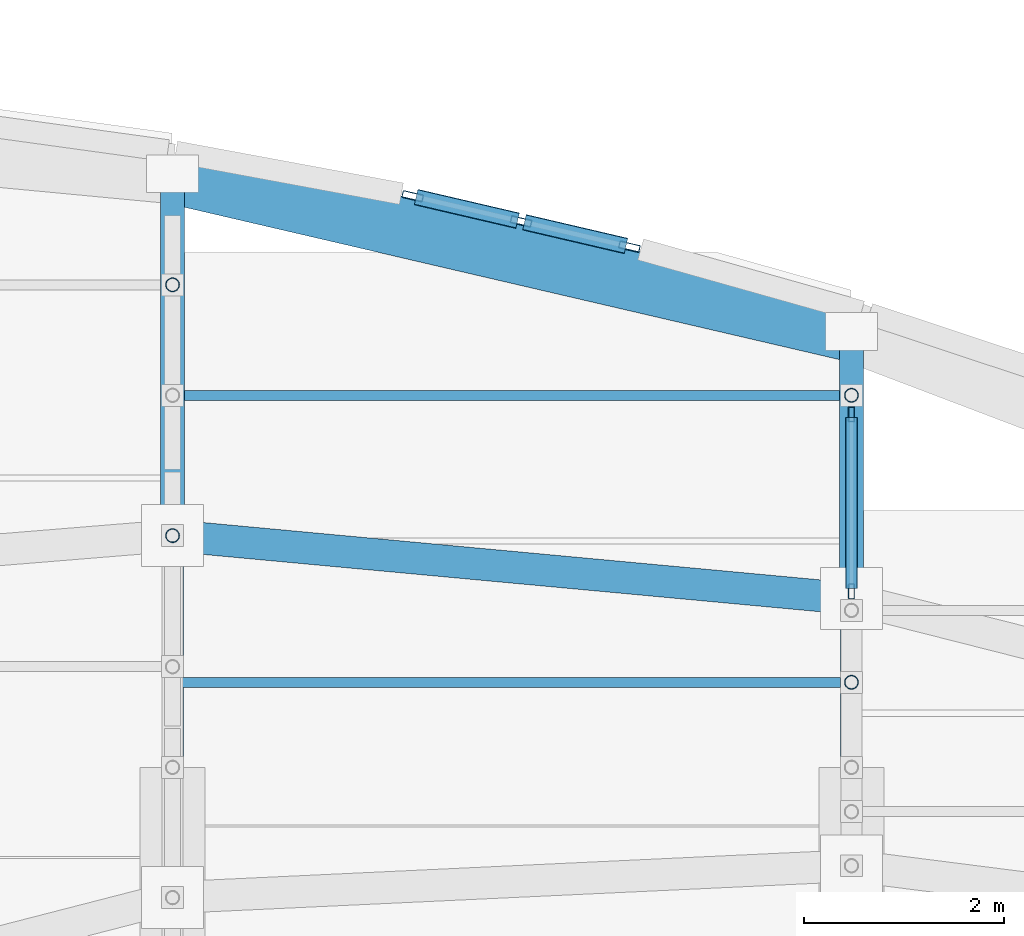
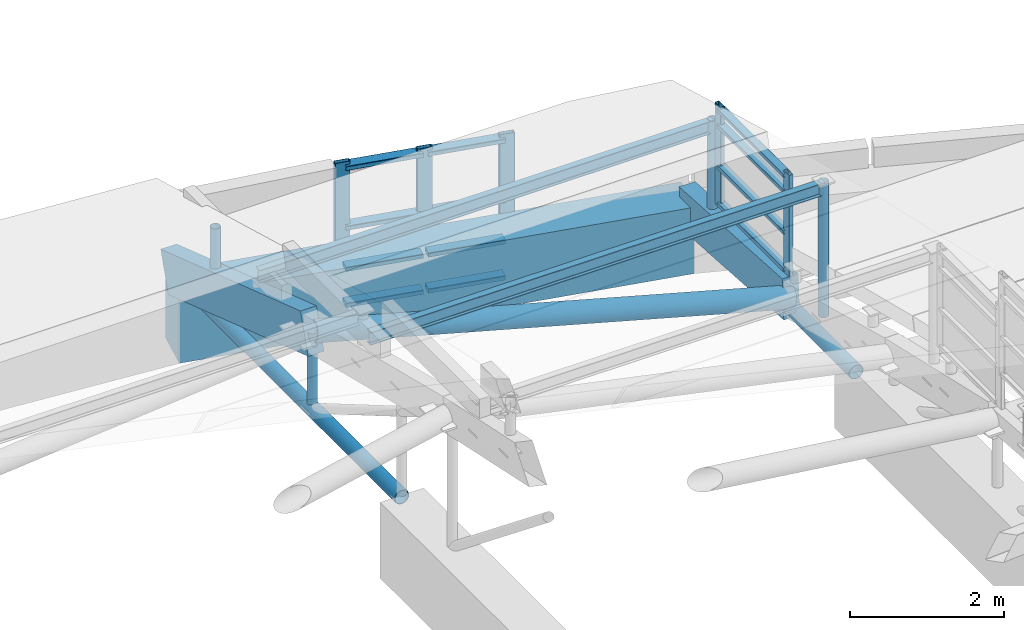
# One storey, part 108 of 188: 28 members, 1 beam, 2 elements without a shape of their own.
"""IFC4 building model written with IfcOpenShell, lengths in metres."""

from ifc_helpers import new_model, si_unit, direction, frame, origin, origin_2d, place, context, subcontext, project, spatial, rectangle, hollow_rectangle, hollow_circle, i_section, extrude, material, layer, layer_set, material_profile, profile_set, type_object, element, aggregate, save


model = new_model("IFC4")

# Units and contexts
model_context = context("Model", 3, precision=1e-05, world=origin(), true_north=direction((0.0, 1.0)))
body_context = subcontext(model_context, "Body", "Model", "MODEL_VIEW")
ifc_project = project(units=[si_unit("LENGTHUNIT", "METRE"), si_unit("AREAUNIT", "SQUARE_METRE"), si_unit("VOLUMEUNIT", "CUBIC_METRE"), si_unit("PLANEANGLEUNIT", "RADIAN"), si_unit("MASSUNIT", "GRAM", prefix="KILO")], contexts=[model_context])

# Site, building, storey
site_placement = place(None, origin())
site = spatial("IfcSite", under=ifc_project, at=site_placement, CompositionType="ELEMENT")
building_placement = place(site_placement, origin())
building = spatial("IfcBuilding", under=site, at=building_placement, Name="Kisaragi Civic Commons", CompositionType="ELEMENT")
storey_placement = place(building_placement, frame((0.0, 0.0, 9.60009765625)))
storey = spatial("IfcBuildingStorey", under=building, at=storey_placement, Name="L02", CompositionType="ELEMENT", Elevation=9.60009765625)

# Curtain wall, members
ifc_material_1 = material(Name="Thermally broken anodized aluminium and low-E double glazing", Category="aluminium")
ifc_layer_1 = layer(ifc_material_1, 0.14990234375, Name="Thermally broken anodized aluminium and low-E double glazing", Category="aluminium")
ifc_layer_set_1 = layer_set([ifc_layer_1], Name="Thermally broken anodized aluminium and low-E double glazing")
curtain_wall_type_1 = type_object("IfcCurtainWallType", Name="CW-03", PredefinedType="NOTDEFINED", material=ifc_layer_set_1)
curtain_wall_1_placement = place(storey_placement, origin())
curtain_wall_1 = element("IfcCurtainWall", 1, at=curtain_wall_1_placement, inside=storey, type_object=curtain_wall_type_1, Name="L02 curtain wall CW-03 CW-CL-V2-219", PredefinedType="NOTDEFINED")
ifc_material_profile_1 = material_profile(ifc_material_1, hollow_rectangle(XDim=0.06005859375, YDim=0.14990234375, WallThickness=0.00390625, InnerFilletRadius=0.00390625, OuterFilletRadius=0.008056640625, at=origin_2d()), Name="CWM-60x150x4", Category="aluminium")
ifc_profile_set_1 = profile_set([ifc_material_profile_1], Name="Thermally broken anodized aluminium and low-E double glazing")
member_type_1 = type_object("IfcMemberType", Name="CWM-01", PredefinedType="MULLION", material=ifc_profile_set_1)
member_1_placement = place(storey_placement, frame((40.800048828125, 113.362060546875, 0.0048828125), z_axis=(0.0, 0.0, 1.0), x_axis=(-1.0, 0.0, 0.0)))
member_1 = element("IfcMember", 2, at=member_1_placement, type_object=member_type_1, Name="CW-03 mullion 1", PredefinedType="MULLION", context=body_context, shape_type="SweptSolid", body=[
    extrude(hollow_rectangle(XDim=0.06005859375, YDim=0.14990234375, WallThickness=0.00390625, InnerFilletRadius=0.00390625, OuterFilletRadius=0.008056640625, at=origin_2d()), origin(), (0.0, 0.0, 1.0), 1.60693359375),
])
member_2_placement = place(storey_placement, frame((40.800048828125, 115.13671875, 0.0048828125), z_axis=(0.0, 0.0, 1.0), x_axis=(-1.0, 0.0, 0.0)))
member_2 = element("IfcMember", 3, at=member_2_placement, type_object=member_type_1, Name="CW-03 mullion 2", PredefinedType="MULLION", context=body_context, shape_type="SweptSolid", body=[
    extrude(hollow_rectangle(XDim=0.06005859375, YDim=0.14990234375, WallThickness=0.00390625, InnerFilletRadius=0.00390625, OuterFilletRadius=0.008056640625, at=origin_2d()), origin(), (0.0, 0.0, 1.0), 1.60693359375),
])

ifc_layer_2 = layer(ifc_material_1, 0.2099609375, Name="Thermally broken anodized aluminium and low-E double glazing", Category="aluminium")
ifc_layer_set_2 = layer_set([ifc_layer_2], Name="Thermally broken anodized aluminium and low-E double glazing")
curtain_wall_type_2 = type_object("IfcCurtainWallType", Name="CW-02", PredefinedType="NOTDEFINED", material=ifc_layer_set_2)
curtain_wall_2_placement = place(storey_placement, origin())
curtain_wall_2 = element("IfcCurtainWall", 4, at=curtain_wall_2_placement, inside=storey, type_object=curtain_wall_type_2, Name="L02 curtain wall CW-02 CW-GAB-V2-225", PredefinedType="NOTDEFINED")
ifc_material_profile_2 = material_profile(ifc_material_1, hollow_rectangle(XDim=0.070068359375, YDim=0.2099609375, WallThickness=0.0048828125, InnerFilletRadius=0.0048828125, OuterFilletRadius=0.010009765625, at=origin_2d()), Name="CWM-70x210x5", Category="aluminium")
ifc_profile_set_2 = profile_set([ifc_material_profile_2], Name="Thermally broken anodized aluminium and low-E double glazing")
member_type_2 = type_object("IfcMemberType", Name="CWM-03", PredefinedType="MULLION", material=ifc_profile_set_2)
member_3_placement = place(storey_placement, frame((36.4052734375, 117.321044921875, -1.399169921875), z_axis=(0.0, 0.0, 1.0), x_axis=(0.226825355689, 0.973935448588, 0.0)))
member_3 = element("IfcMember", 5, at=member_3_placement, type_object=member_type_2, Name="CW-02 mullion 1", PredefinedType="MULLION", context=body_context, shape_type="SweptSolid", body=[
    extrude(hollow_rectangle(XDim=0.070068359375, YDim=0.2099609375, WallThickness=0.0048828125, InnerFilletRadius=0.0048828125, OuterFilletRadius=0.010009765625, at=origin_2d()), origin(), (0.0, 0.0, 1.0), 2.326416015625),
])
member_4_placement = place(storey_placement, frame((37.490966796875, 117.068115234375, -1.399169921875), z_axis=(0.0, 0.0, 1.0), x_axis=(0.226825355689, 0.973935448588, 0.0)))
member_4 = element("IfcMember", 6, at=member_4_placement, type_object=member_type_2, Name="CW-02 mullion 2", PredefinedType="MULLION", context=body_context, shape_type="SweptSolid", body=[
    extrude(hollow_rectangle(XDim=0.070068359375, YDim=0.2099609375, WallThickness=0.0048828125, InnerFilletRadius=0.0048828125, OuterFilletRadius=0.010009765625, at=origin_2d()), origin(), (0.0, 0.0, 1.0), 2.326416015625),
])
member_5_placement = place(storey_placement, frame((38.576416015625, 116.8154296875, -1.399169921875), z_axis=(0.0, 0.0, 1.0), x_axis=(0.226825355689, 0.973935448588, 0.0)))
member_5 = element("IfcMember", 7, at=member_5_placement, type_object=member_type_2, Name="CW-02 mullion 3", PredefinedType="MULLION", context=body_context, shape_type="SweptSolid", body=[
    extrude(hollow_rectangle(XDim=0.070068359375, YDim=0.2099609375, WallThickness=0.0048828125, InnerFilletRadius=0.0048828125, OuterFilletRadius=0.010009765625, at=origin_2d()), origin(), (0.0, 0.0, 1.0), 2.326416015625),
])

# Member
ifc_material_profile_3 = material_profile(ifc_material_1, hollow_rectangle(XDim=0.1201171875, YDim=0.06005859375, WallThickness=0.00390625, InnerFilletRadius=0.00390625, OuterFilletRadius=0.008056640625, at=origin_2d()), Name="CWT-60x120x4", Category="aluminium")
ifc_profile_set_3 = profile_set([ifc_material_profile_3], Name="Thermally broken anodized aluminium and low-E double glazing")
member_type_3 = type_object("IfcMemberType", Name="CWT-01", PredefinedType="USERDEFINED", material=ifc_profile_set_3)
member_6_placement = place(storey_placement, frame((40.800048828125, 113.39208984375, 0.06494140625), z_axis=(0.0, 1.0, 0.0), x_axis=(-1.0, 0.0, 0.0)))
member_6 = element("IfcMember", 8, at=member_6_placement, type_object=member_type_3, Name="CW-03 transom 1.1", ObjectType="TRANSOM", PredefinedType="USERDEFINED", context=body_context, shape_type="SweptSolid", body=[
    extrude(hollow_rectangle(XDim=0.1201171875, YDim=0.06005859375, WallThickness=0.00390625, InnerFilletRadius=0.00390625, OuterFilletRadius=0.008056640625, at=origin_2d()), origin(), (0.0, 0.0, 1.0), 1.714599609375),
])

member_7_placement = place(storey_placement, frame((40.800048828125, 113.39208984375, 0.65478515625), z_axis=(0.0, 1.0, 0.0), x_axis=(-1.0, 0.0, 0.0)))
member_7 = element("IfcMember", 9, at=member_7_placement, type_object=member_type_3, Name="CW-03 transom 1.2", ObjectType="TRANSOM", PredefinedType="USERDEFINED", context=body_context, shape_type="SweptSolid", body=[
    extrude(hollow_rectangle(XDim=0.1201171875, YDim=0.06005859375, WallThickness=0.00390625, InnerFilletRadius=0.00390625, OuterFilletRadius=0.008056640625, at=origin_2d()), origin(), (0.0, 0.0, 1.0), 1.714599609375),
])

member_8_placement = place(storey_placement, frame((40.800048828125, 113.39208984375, 1.304931640625), z_axis=(0.0, 1.0, 0.0), x_axis=(-1.0, 0.0, 0.0)))
member_8 = element("IfcMember", 10, at=member_8_placement, type_object=member_type_3, Name="CW-03 transom 1.3", ObjectType="TRANSOM", PredefinedType="USERDEFINED", context=body_context, shape_type="SweptSolid", body=[
    extrude(hollow_rectangle(XDim=0.1201171875, YDim=0.06005859375, WallThickness=0.00390625, InnerFilletRadius=0.00390625, OuterFilletRadius=0.008056640625, at=origin_2d()), origin(), (0.0, 0.0, 1.0), 1.714599609375),
])

member_9_placement = place(storey_placement, frame((40.800048828125, 113.39208984375, 1.5517578125), z_axis=(0.0, 1.0, 0.0), x_axis=(-1.0, 0.0, 0.0)))
member_9 = element("IfcMember", 11, at=member_9_placement, type_object=member_type_3, Name="CW-03 transom 1.4", ObjectType="TRANSOM", PredefinedType="USERDEFINED", context=body_context, shape_type="SweptSolid", body=[
    extrude(hollow_rectangle(XDim=0.1201171875, YDim=0.06005859375, WallThickness=0.00390625, InnerFilletRadius=0.00390625, OuterFilletRadius=0.008056640625, at=origin_2d()), origin(), (0.0, 0.0, 1.0), 1.714599609375),
])

aggregate(curtain_wall_1, [member_1, member_2, member_6, member_7, member_8, member_9])

ifc_material_profile_4 = material_profile(ifc_material_1, hollow_rectangle(XDim=0.159912109375, YDim=0.070068359375, WallThickness=0.0048828125, InnerFilletRadius=0.0048828125, OuterFilletRadius=0.010009765625, at=origin_2d()), Name="CWT-70x160x5", Category="aluminium")
ifc_profile_set_4 = profile_set([ifc_material_profile_4], Name="Thermally broken anodized aluminium and low-E double glazing")
member_type_4 = type_object("IfcMemberType", Name="CWT-03", PredefinedType="USERDEFINED", material=ifc_profile_set_4)
member_10_placement = place(storey_placement, frame((36.439453125, 117.31298828125, -1.319091796875), z_axis=(0.973960035632, -0.226719758714, 0.0), x_axis=(0.226719758714, 0.973960035632, 0.0)))
member_10 = element("IfcMember", 12, at=member_10_placement, type_object=member_type_4, Name="CW-02 transom 1.1", ObjectType="TRANSOM", PredefinedType="USERDEFINED", context=body_context, shape_type="SweptSolid", body=[
    extrude(hollow_rectangle(XDim=0.159912109375, YDim=0.070068359375, WallThickness=0.0048828125, InnerFilletRadius=0.0048828125, OuterFilletRadius=0.010009765625, at=origin_2d()), origin(), (0.0, 0.0, 1.0), 1.04443359375),
])

member_11_placement = place(storey_placement, frame((36.439453125, 117.31298828125, -0.7490234375), z_axis=(0.973960035632, -0.226719758714, 0.0), x_axis=(0.226719758714, 0.973960035632, 0.0)))
member_11 = element("IfcMember", 13, at=member_11_placement, type_object=member_type_4, Name="CW-02 transom 1.2", ObjectType="TRANSOM", PredefinedType="USERDEFINED", context=body_context, shape_type="SweptSolid", body=[
    extrude(hollow_rectangle(XDim=0.159912109375, YDim=0.070068359375, WallThickness=0.0048828125, InnerFilletRadius=0.0048828125, OuterFilletRadius=0.010009765625, at=origin_2d()), origin(), (0.0, 0.0, 1.0), 1.04443359375),
])

member_12_placement = place(storey_placement, frame((36.439453125, 117.31298828125, -0.09912109375), z_axis=(0.973960035632, -0.226719758714, 0.0), x_axis=(0.226719758714, 0.973960035632, 0.0)))
member_12 = element("IfcMember", 14, at=member_12_placement, type_object=member_type_4, Name="CW-02 transom 1.3", ObjectType="TRANSOM", PredefinedType="USERDEFINED", context=body_context, shape_type="SweptSolid", body=[
    extrude(hollow_rectangle(XDim=0.159912109375, YDim=0.070068359375, WallThickness=0.0048828125, InnerFilletRadius=0.0048828125, OuterFilletRadius=0.010009765625, at=origin_2d()), origin(), (0.0, 0.0, 1.0), 1.04443359375),
])

member_13_placement = place(storey_placement, frame((36.439453125, 117.31298828125, 0.847412109375), z_axis=(0.973960035632, -0.226719758714, 0.0), x_axis=(0.226719758714, 0.973960035632, 0.0)))
member_13 = element("IfcMember", 15, at=member_13_placement, type_object=member_type_4, Name="CW-02 transom 1.4", ObjectType="TRANSOM", PredefinedType="USERDEFINED", context=body_context, shape_type="SweptSolid", body=[
    extrude(hollow_rectangle(XDim=0.159912109375, YDim=0.070068359375, WallThickness=0.0048828125, InnerFilletRadius=0.0048828125, OuterFilletRadius=0.010009765625, at=origin_2d()), origin(), (0.0, 0.0, 1.0), 1.04443359375),
])

member_14_placement = place(storey_placement, frame((37.52490234375, 117.060302734375, -1.319091796875), z_axis=(0.973908401437, -0.226941458554, 0.0), x_axis=(0.226941458554, 0.973908401437, 0.0)))
member_14 = element("IfcMember", 16, at=member_14_placement, type_object=member_type_4, Name="CW-02 transom 2.1", ObjectType="TRANSOM", PredefinedType="USERDEFINED", context=body_context, shape_type="SweptSolid", body=[
    extrude(hollow_rectangle(XDim=0.159912109375, YDim=0.070068359375, WallThickness=0.0048828125, InnerFilletRadius=0.0048828125, OuterFilletRadius=0.010009765625, at=origin_2d()), origin(), (0.0, 0.0, 1.0), 1.044677734375),
])

member_15_placement = place(storey_placement, frame((37.52490234375, 117.060302734375, -0.7490234375), z_axis=(0.973908401437, -0.226941458554, 0.0), x_axis=(0.226941458554, 0.973908401437, 0.0)))
member_15 = element("IfcMember", 17, at=member_15_placement, type_object=member_type_4, Name="CW-02 transom 2.2", ObjectType="TRANSOM", PredefinedType="USERDEFINED", context=body_context, shape_type="SweptSolid", body=[
    extrude(hollow_rectangle(XDim=0.159912109375, YDim=0.070068359375, WallThickness=0.0048828125, InnerFilletRadius=0.0048828125, OuterFilletRadius=0.010009765625, at=origin_2d()), origin(), (0.0, 0.0, 1.0), 1.044677734375),
])

member_16_placement = place(storey_placement, frame((37.52490234375, 117.060302734375, -0.09912109375), z_axis=(0.973908401437, -0.226941458554, 0.0), x_axis=(0.226941458554, 0.973908401437, 0.0)))
member_16 = element("IfcMember", 18, at=member_16_placement, type_object=member_type_4, Name="CW-02 transom 2.3", ObjectType="TRANSOM", PredefinedType="USERDEFINED", context=body_context, shape_type="SweptSolid", body=[
    extrude(hollow_rectangle(XDim=0.159912109375, YDim=0.070068359375, WallThickness=0.0048828125, InnerFilletRadius=0.0048828125, OuterFilletRadius=0.010009765625, at=origin_2d()), origin(), (0.0, 0.0, 1.0), 1.044677734375),
])

member_17_placement = place(storey_placement, frame((37.52490234375, 117.060302734375, 0.847412109375), z_axis=(0.973908401437, -0.226941458554, 0.0), x_axis=(0.226941458554, 0.973908401437, 0.0)))
member_17 = element("IfcMember", 19, at=member_17_placement, type_object=member_type_4, Name="CW-02 transom 2.4", ObjectType="TRANSOM", PredefinedType="USERDEFINED", context=body_context, shape_type="SweptSolid", body=[
    extrude(hollow_rectangle(XDim=0.159912109375, YDim=0.070068359375, WallThickness=0.0048828125, InnerFilletRadius=0.0048828125, OuterFilletRadius=0.010009765625, at=origin_2d()), origin(), (0.0, 0.0, 1.0), 1.044677734375),
])

aggregate(curtain_wall_2, [member_3, member_4, member_5, member_10, member_11, member_12, member_13, member_14, member_15, member_16, member_17])

# Beam
ifc_material_2 = material(Name="Concrete Fc36", Category="concrete")
ifc_material_profile_5 = material_profile(ifc_material_2, rectangle(XDim=0.60009765625, YDim=1.050048828125, at=origin_2d()), Name="RC-600x1050", Category="concrete")
ifc_profile_set_5 = profile_set([ifc_material_profile_5], Name="Concrete Fc36")
beam_type = type_object("IfcBeamType", Name="G-06", PredefinedType="BEAM", material=ifc_profile_set_5)
beam_placement = place(storey_placement, frame((40.800048828125, 115.964111328125, -0.84521484375), z_axis=(-0.973996004458, 0.226565185541, 0.0), x_axis=(-0.226565185541, -0.973996004458, 0.0)))
element("IfcBeam", 20, at=beam_placement, inside=storey, type_object=beam_type, Name="L02 curved spandrel/ring girder G-06 283", PredefinedType="BEAM", context=body_context, shape_type="SweptSolid", body=[
    extrude(rectangle(XDim=0.60009765625, YDim=1.050048828125, at=origin_2d()), origin(), (0.0, 0.0, 1.0), 6.981689453125),
])

# Members
ifc_material_3 = material(Name="Steel SN490 (SN490B)", Category="steel")
ifc_material_profile_6 = material_profile(ifc_material_3, hollow_circle(Radius=0.1591796875, WallThickness=0.01025390625, at=origin_2d()), Name="CHS-318.5x10.3", Category="steel")
ifc_profile_set_6 = profile_set([ifc_material_profile_6], Name="Steel SN490 (SN490B)")
member_type_5 = type_object("IfcMemberType", Name="GC-03", PredefinedType="CHORD", material=ifc_profile_set_6)
member_18_placement = place(storey_placement, frame((34.0, 113.9208984375, 1.138671875), z_axis=(0.97380536428, -0.090447509331, -0.208620134587), x_axis=(0.092482423382, 0.995714317144, 0.0)))
element("IfcMember", 21, at=member_18_placement, inside=storey, type_object=member_type_5, Name="V2 wave gridshell chord GC-03 42", PredefinedType="CHORD", context=body_context, shape_type="SweptSolid", body=[
    extrude(hollow_circle(Radius=0.1591796875, WallThickness=0.01025390625, at=origin_2d()), origin(), (0.0, 0.0, 1.0), 6.98291015625),
])
ifc_material_4 = material(Name="Glulam E120-F330", Category="wood")
ifc_material_profile_7 = material_profile(ifc_material_4, rectangle(XDim=0.239990234375, YDim=0.6298828125, at=origin_2d()), Name="GL-240x630", Category="wood")
ifc_profile_set_7 = profile_set([ifc_material_profile_7], Name="Glulam E120-F330")
member_type_6 = type_object("IfcMemberType", Name="GR-03", PredefinedType="RAFTER", material=ifc_profile_set_7)
member_19_placement = place(storey_placement, frame((34.0, 113.9208984375, 1.138671875), z_axis=(0.0, 0.947863007629, -0.318678080151), x_axis=(-1.0, 0.0, 0.0)))
element("IfcMember", 22, at=member_19_placement, inside=storey, type_object=member_type_6, Name="V2 glulam arch rib GR-03 48", PredefinedType="RAFTER", context=body_context, shape_type="SweptSolid", body=[
    extrude(rectangle(XDim=0.239990234375, YDim=0.6298828125, at=origin_2d()), origin(), (0.0, 0.0, 1.0), 3.824462890625),
])
member_20_placement = place(storey_placement, frame((40.800048828125, 113.289306640625, -0.318115234375), z_axis=(0.0, 0.998129785882, -0.061130438694), x_axis=(-1.0, 0.0, 0.0)))
element("IfcMember", 23, at=member_20_placement, inside=storey, type_object=member_type_6, Name="V2 glulam arch rib GR-03 56", PredefinedType="RAFTER", context=body_context, shape_type="SweptSolid", body=[
    extrude(rectangle(XDim=0.239990234375, YDim=0.6298828125, at=origin_2d()), origin(), (0.0, 0.0, 1.0), 2.679931640625),
])
ifc_material_5 = material(Name="Steel SN400 (SN400B)", Category="steel")
ifc_material_profile_8 = material_profile(ifc_material_5, i_section(OverallWidth=0.10009765625, OverallDepth=0.199951171875, WebThickness=0.005615234375, FlangeThickness=0.008056640625, FilletRadius=0.008056640625, at=origin_2d()), Name="H-200x100x5.5x8", Category="steel")
ifc_profile_set_8 = profile_set([ifc_material_profile_8], Name="Steel SN400 (SN400B)")
member_type_7 = type_object("IfcMemberType", Name="PR-02", PredefinedType="PURLIN", material=ifc_profile_set_8)
for number, where, z_axis, x_axis, name in (
    (24, (34.0, 112.451904296875, 1.93310546875), (1.0, 0.0, 0.0), (0.0, 1.0, 0.0), "V2 wave vault steel purlin 46"),
    (25, (34.0, 115.32666015625, 1.173095703125), (1.0, 0.0, 0.0), (0.0, 1.0, 0.0), "V2 wave vault steel purlin 47"),
):
    element("IfcMember", number, at=place(storey_placement, frame(where, z_axis=z_axis, x_axis=x_axis)), inside=storey, type_object=member_type_7, Name=name, PredefinedType="PURLIN", context=body_context, shape_type="SweptSolid", body=[
        extrude(i_section(OverallWidth=0.10009765625, OverallDepth=0.199951171875, WebThickness=0.005615234375, FlangeThickness=0.008056640625, FilletRadius=0.008056640625, at=origin_2d()), origin(), (0.0, 0.0, 1.0), 6.800048828125),
    ])
ifc_material_profile_9 = material_profile(ifc_material_3, hollow_circle(Radius=0.06982421875, WallThickness=0.006103515625, at=origin_2d()), Name="CHS-139.8x6.0", Category="steel")
ifc_profile_set_9 = profile_set([ifc_material_profile_9], Name="Steel SN490 (SN490B)")
member_type_8 = type_object("IfcMemberType", Name="ST-H1", PredefinedType="STRUT", material=ifc_profile_set_9)
member_21_placement = place(storey_placement, frame((34.0, 113.9208984375, -0.080078125), z_axis=(0.0, 0.0, 1.0), x_axis=(1.0, 0.0, 0.0)))
element("IfcMember", 26, at=member_21_placement, inside=storey, type_object=member_type_8, Name="V2 arch tie hanger strut 80", PredefinedType="STRUT", context=body_context, shape_type="SweptSolid", body=[
    extrude(hollow_circle(Radius=0.06982421875, WallThickness=0.006103515625, at=origin_2d()), origin(), (0.0, 0.0, 1.0), 1.21875),
])
member_22_placement = place(storey_placement, frame((34.0, 116.433349609375, 0.2939453125), z_axis=(0.0, 0.0, 1.0), x_axis=(1.0, 0.0, 0.0)))
element("IfcMember", 27, at=member_22_placement, inside=storey, type_object=member_type_8, Name="V2 clerestory monitor horizontal tie strut 5.5.8", PredefinedType="STRUT", context=body_context, shape_type="SweptSolid", body=[
    extrude(hollow_circle(Radius=0.06982421875, WallThickness=0.006103515625, at=origin_2d()), origin(), (0.0, 0.0, 1.0), 0.98193359375),
])
member_23_placement = place(storey_placement, frame((40.800048828125, 112.451904296875, -0.0966796875), z_axis=(0.0, 0.0, 1.0), x_axis=(1.0, 0.0, 0.0)))
element("IfcMember", 28, at=member_23_placement, inside=storey, type_object=member_type_8, Name="V2 clerestory monitor horizontal tie strut 6.6.7", PredefinedType="STRUT", context=body_context, shape_type="SweptSolid", body=[
    extrude(hollow_circle(Radius=0.06982421875, WallThickness=0.006103515625, at=origin_2d()), origin(), (0.0, 0.0, 1.0), 2.1298828125),
])
member_24_placement = place(storey_placement, frame((40.800048828125, 115.32666015625, -0.44287109375), z_axis=(0.0, 0.0, 1.0), x_axis=(1.0, 0.0, 0.0)))
element("IfcMember", 29, at=member_24_placement, inside=storey, type_object=member_type_8, Name="V2 clerestory monitor horizontal tie strut 6.6.8", PredefinedType="STRUT", context=body_context, shape_type="SweptSolid", body=[
    extrude(hollow_circle(Radius=0.06982421875, WallThickness=0.006103515625, at=origin_2d()), origin(), (0.0, 0.0, 1.0), 1.716064453125),
])
ifc_material_profile_10 = material_profile(ifc_material_3, hollow_circle(Radius=0.108154296875, WallThickness=0.008056640625, at=origin_2d()), Name="CHS-216.3x8.0", Category="steel")
ifc_profile_set_10 = profile_set([ifc_material_profile_10], Name="Steel SN490 (SN490B)")
member_type_9 = type_object("IfcMemberType", Name="ST-T2", PredefinedType="STRUT", material=ifc_profile_set_10)
member_25_placement = place(storey_placement, frame((34.0, 111.60009765625, -0.080078125), z_axis=(0.0, 1.0, 0.0), x_axis=(-1.0, 0.0, 0.0)))
element("IfcMember", 30, at=member_25_placement, inside=storey, type_object=member_type_9, Name="V2 arch tension tie ST-T2 73", PredefinedType="STRUT", context=body_context, shape_type="SweptSolid", body=[
    extrude(hollow_circle(Radius=0.108154296875, WallThickness=0.008056640625, at=origin_2d()), origin(), (0.0, 0.0, 1.0), 5.94580078125),
])
member_26_placement = place(storey_placement, frame((40.800048828125, 111.60009765625, -0.48193359375), z_axis=(0.0, 1.0, 0.0), x_axis=(-1.0, 0.0, 0.0)))
element("IfcMember", 31, at=member_26_placement, inside=storey, type_object=member_type_9, Name="V2 arch tension tie ST-T2 88", PredefinedType="STRUT", context=body_context, shape_type="SweptSolid", body=[
    extrude(hollow_circle(Radius=0.108154296875, WallThickness=0.008056640625, at=origin_2d()), origin(), (0.0, 0.0, 1.0), 1.689208984375),
])

save(model, "model.ifc")
